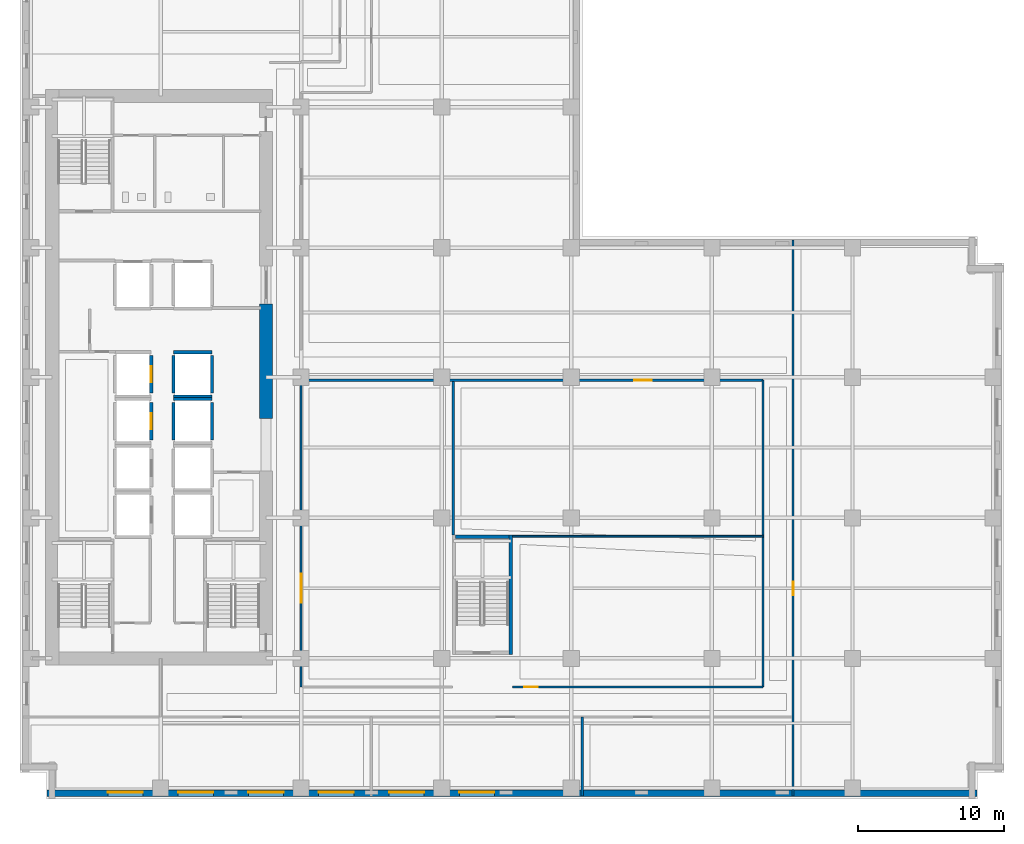
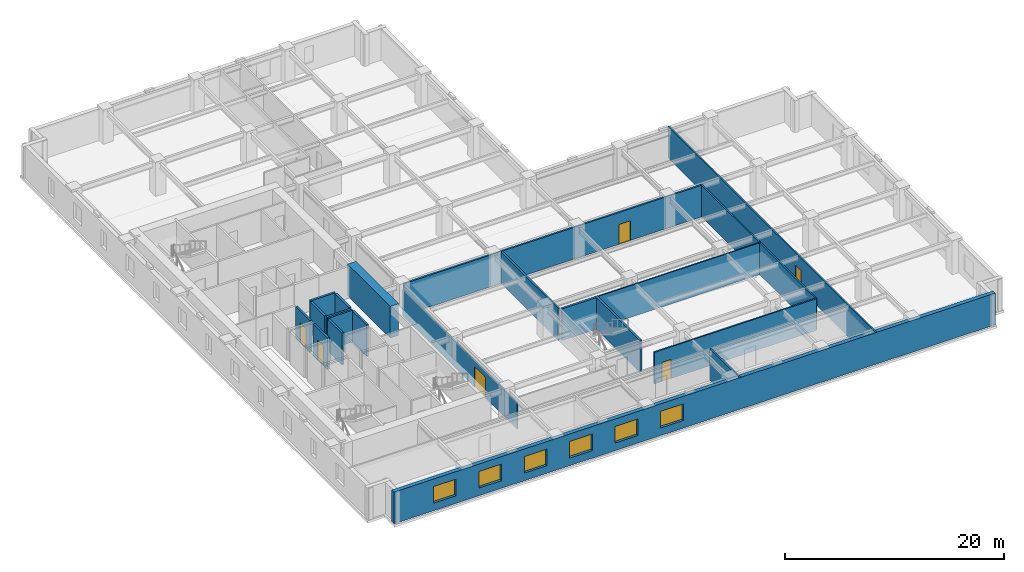
# One storey, part 5 of 13: 21 walls, 6 doors, 6 windows, 12 openings.
"""IFC4 building model written with IfcOpenShell, lengths in metres."""

from ifc_helpers import new_model, si_unit, direction, frame, frame_2d, origin, place, context, subcontext, project, spatial, rectangle, extrude, material, layer, layer_set, type_object, element, fill, save


model = new_model("IFC4")

# Units and contexts
model_context = context("Model", 3, precision=1e-05, world=origin(), true_north=direction((0.0, 1.0)))
body_context = subcontext(model_context, "Body", "Model", "MODEL_VIEW")
ifc_project = project(units=[si_unit("LENGTHUNIT", "METRE"), si_unit("AREAUNIT", "SQUARE_METRE"), si_unit("VOLUMEUNIT", "CUBIC_METRE"), si_unit("PLANEANGLEUNIT", "RADIAN"), si_unit("MASSUNIT", "GRAM", prefix="KILO")], contexts=[model_context])

# Site, building, storey
site_placement = place(None, origin())
site = spatial("IfcSite", under=ifc_project, at=site_placement, CompositionType="ELEMENT")
building_placement = place(site_placement, origin())
building = spatial("IfcBuilding", under=site, at=building_placement, Name="Norrvale University Quadrangle", CompositionType="ELEMENT")
storey_placement = place(building_placement, frame((0.0, 0.0, 66.0)))
storey = spatial("IfcBuildingStorey", under=building, at=storey_placement, Name="L16", CompositionType="ELEMENT", Elevation=66.0)

# Wall, openings, windows
ifc_material_1 = material(Name="Buff Norman Clay Brick Masonry", Category="masonry")
ifc_layer_1 = layer(ifc_material_1, 0.419921875, Name="Buff Norman Clay Brick Masonry")
ifc_layer_set_1 = layer_set([ifc_layer_1], Name="Buff Norman Clay Brick Masonry")
wall_type_1 = type_object("IfcWallType", Name="Wall Buff Brick 420", PredefinedType="SOLIDWALL", material=ifc_layer_set_1)
wall_1_placement = place(storey_placement, frame((1.840087890625, 0.389892578125, 0.0), z_axis=(0.0, 0.0, 1.0), x_axis=(1.0, 0.0, 0.0)))
wall_1 = element("IfcWall", 1, at=wall_1_placement, inside=storey, type_object=wall_type_1, Name="Exterior Brick Facade Wall L16-01.1", PredefinedType="SOLIDWALL", context=body_context, shape_type="SweptSolid", body=[
    extrude(rectangle(XDim=63.52001953125, YDim=0.419921875, at=frame_2d((31.760009765625, 0.0))), origin(), (0.0, 0.0, 1.0), 3.5400390625),
])
opening_1_placement = place(wall_1_placement, frame((4.159912109375, 0.0, 0.85009765625)))
opening_1 = element("IfcOpeningElement", 2, at=opening_1_placement, cuts=wall_1, Name="Opening W02", PredefinedType="OPENING", context=body_context, shape_type="SweptSolid", body=[
    extrude(rectangle(XDim=2.39990234375, YDim=1.85009765625, at=frame_2d((1.199951171875, 0.925048828125))), frame((0.0, 0.221923828125, 0.0), z_axis=(0.0, -1.0, 0.0), x_axis=(1.0, 0.0, 0.0)), (0.0, 0.0, 1.0), 0.44384765625),
])
opening_2_placement = place(wall_1_placement, frame((8.9599609375, 0.0, 0.85009765625)))
opening_2 = element("IfcOpeningElement", 3, at=opening_2_placement, cuts=wall_1, Name="Opening W02", PredefinedType="OPENING", context=body_context, shape_type="SweptSolid", body=[
    extrude(rectangle(XDim=2.39990234375, YDim=1.85009765625, at=frame_2d((1.199951171875, 0.925048828125))), frame((0.0, 0.221923828125, 0.0), z_axis=(0.0, -1.0, 0.0), x_axis=(1.0, 0.0, 0.0)), (0.0, 0.0, 1.0), 0.44384765625),
])
opening_3_placement = place(wall_1_placement, frame((13.760009765625, 0.0, 0.85009765625)))
opening_3 = element("IfcOpeningElement", 4, at=opening_3_placement, cuts=wall_1, Name="Opening W02", PredefinedType="OPENING", context=body_context, shape_type="SweptSolid", body=[
    extrude(rectangle(XDim=2.39990234375, YDim=1.85009765625, at=frame_2d((1.199951171875, 0.925048828125))), frame((0.0, 0.221923828125, 0.0), z_axis=(0.0, -1.0, 0.0), x_axis=(1.0, 0.0, 0.0)), (0.0, 0.0, 1.0), 0.44384765625),
])
opening_4_placement = place(wall_1_placement, frame((18.56005859375, 0.0, 0.85009765625)))
opening_4 = element("IfcOpeningElement", 5, at=opening_4_placement, cuts=wall_1, Name="Opening W02", PredefinedType="OPENING", context=body_context, shape_type="SweptSolid", body=[
    extrude(rectangle(XDim=2.39990234375, YDim=1.85009765625, at=frame_2d((1.199951171875, 0.925048828125))), frame((0.0, 0.221923828125, 0.0), z_axis=(0.0, -1.0, 0.0), x_axis=(1.0, 0.0, 0.0)), (0.0, 0.0, 1.0), 0.44384765625),
])
opening_5_placement = place(wall_1_placement, frame((23.360107421875, 0.0, 0.85009765625)))
opening_5 = element("IfcOpeningElement", 6, at=opening_5_placement, cuts=wall_1, Name="Opening W02", PredefinedType="OPENING", context=body_context, shape_type="SweptSolid", body=[
    extrude(rectangle(XDim=2.39990234375, YDim=1.85009765625, at=frame_2d((1.199951171875, 0.925048828125))), frame((0.0, 0.221923828125, 0.0), z_axis=(0.0, -1.0, 0.0), x_axis=(1.0, 0.0, 0.0)), (0.0, 0.0, 1.0), 0.44384765625),
])
opening_6_placement = place(wall_1_placement, frame((28.159912109375, 0.0, 0.85009765625)))
opening_6 = element("IfcOpeningElement", 7, at=opening_6_placement, cuts=wall_1, Name="Opening W02", PredefinedType="OPENING", context=body_context, shape_type="SweptSolid", body=[
    extrude(rectangle(XDim=2.39990234375, YDim=1.85009765625, at=frame_2d((1.199951171875, 0.925048828125))), frame((0.0, 0.221923828125, 0.0), z_axis=(0.0, -1.0, 0.0), x_axis=(1.0, 0.0, 0.0)), (0.0, 0.0, 1.0), 0.44384765625),
])
ifc_material_2 = material(Name="Triple Low-E Argon Glazing", Category="glass")
window_type = type_object("IfcWindowType", Name="Window Academic 2400x2300", PartitioningType="TRIPLE_PANEL_VERTICAL", PredefinedType="WINDOW", material=ifc_material_2)
window_1_placement = place(opening_1_placement, origin())
window_1 = element("IfcWindow", 8, at=window_1_placement, inside=storey, type_object=window_type, Name="Window Academic 2400x2300 WIN-L16-E01-1-01", OverallHeight=1.85009765625, OverallWidth=2.39990234375, PartitioningType="TRIPLE_PANEL_VERTICAL", PredefinedType="WINDOW", context=body_context, shape_type="SweptSolid", body=[
    extrude(rectangle(XDim=2.39990234375, YDim=1.85009765625, at=frame_2d((1.199951171875, 0.925048828125))), frame((0.0, 0.110107421875, 0.0), z_axis=(0.0, -1.0, 0.0), x_axis=(1.0, 0.0, 0.0)), (0.0, 0.0, 1.0), 0.06005859375),
])
fill(opening_1, window_1)
window_2_placement = place(opening_2_placement, origin())
window_2 = element("IfcWindow", 9, at=window_2_placement, inside=storey, type_object=window_type, Name="Window Academic 2400x2300 WIN-L16-E01-1-02", OverallHeight=1.85009765625, OverallWidth=2.39990234375, PartitioningType="TRIPLE_PANEL_VERTICAL", PredefinedType="WINDOW", context=body_context, shape_type="SweptSolid", body=[
    extrude(rectangle(XDim=2.39990234375, YDim=1.85009765625, at=frame_2d((1.199951171875, 0.925048828125))), frame((0.0, 0.110107421875, 0.0), z_axis=(0.0, -1.0, 0.0), x_axis=(1.0, 0.0, 0.0)), (0.0, 0.0, 1.0), 0.06005859375),
])
fill(opening_2, window_2)
window_3_placement = place(opening_3_placement, origin())
window_3 = element("IfcWindow", 10, at=window_3_placement, inside=storey, type_object=window_type, Name="Window Academic 2400x2300 WIN-L16-E01-1-03", OverallHeight=1.85009765625, OverallWidth=2.39990234375, PartitioningType="TRIPLE_PANEL_VERTICAL", PredefinedType="WINDOW", context=body_context, shape_type="SweptSolid", body=[
    extrude(rectangle(XDim=2.39990234375, YDim=1.85009765625, at=frame_2d((1.199951171875, 0.925048828125))), frame((0.0, 0.110107421875, 0.0), z_axis=(0.0, -1.0, 0.0), x_axis=(1.0, 0.0, 0.0)), (0.0, 0.0, 1.0), 0.06005859375),
])
fill(opening_3, window_3)
window_4_placement = place(opening_4_placement, origin())
window_4 = element("IfcWindow", 11, at=window_4_placement, inside=storey, type_object=window_type, Name="Window Academic 2400x2300 WIN-L16-E01-1-04", OverallHeight=1.85009765625, OverallWidth=2.39990234375, PartitioningType="TRIPLE_PANEL_VERTICAL", PredefinedType="WINDOW", context=body_context, shape_type="SweptSolid", body=[
    extrude(rectangle(XDim=2.39990234375, YDim=1.85009765625, at=frame_2d((1.199951171875, 0.925048828125))), frame((0.0, 0.110107421875, 0.0), z_axis=(0.0, -1.0, 0.0), x_axis=(1.0, 0.0, 0.0)), (0.0, 0.0, 1.0), 0.06005859375),
])
fill(opening_4, window_4)
window_5_placement = place(opening_5_placement, origin())
window_5 = element("IfcWindow", 12, at=window_5_placement, inside=storey, type_object=window_type, Name="Window Academic 2400x2300 WIN-L16-E01-1-05", OverallHeight=1.85009765625, OverallWidth=2.39990234375, PartitioningType="TRIPLE_PANEL_VERTICAL", PredefinedType="WINDOW", context=body_context, shape_type="SweptSolid", body=[
    extrude(rectangle(XDim=2.39990234375, YDim=1.85009765625, at=frame_2d((1.199951171875, 0.925048828125))), frame((0.0, 0.110107421875, 0.0), z_axis=(0.0, -1.0, 0.0), x_axis=(1.0, 0.0, 0.0)), (0.0, 0.0, 1.0), 0.06005859375),
])
fill(opening_5, window_5)
window_6_placement = place(opening_6_placement, origin())
window_6 = element("IfcWindow", 13, at=window_6_placement, inside=storey, type_object=window_type, Name="Window Academic 2400x2300 WIN-L16-E01-1-06", OverallHeight=1.85009765625, OverallWidth=2.39990234375, PartitioningType="TRIPLE_PANEL_VERTICAL", PredefinedType="WINDOW", context=body_context, shape_type="SweptSolid", body=[
    extrude(rectangle(XDim=2.39990234375, YDim=1.85009765625, at=frame_2d((1.199951171875, 0.925048828125))), frame((0.0, 0.110107421875, 0.0), z_axis=(0.0, -1.0, 0.0), x_axis=(1.0, 0.0, 0.0)), (0.0, 0.0, 1.0), 0.06005859375),
])
fill(opening_6, window_6)

# Walls
ifc_material_3 = material(Name="Concrete C80/95", Category="concrete")
ifc_layer_2 = layer(ifc_material_3, 0.89990234375, Name="Concrete C80/95")
ifc_layer_set_2 = layer_set([ifc_layer_2], Name="Concrete C80/95")
wall_type_2 = type_object("IfcWallType", Name="Wall Core 900", PredefinedType="SHEAR", material=ifc_layer_set_2)
wall_2_placement = place(storey_placement, frame((16.800048828125, 26.0, 0.0), z_axis=(0.0, 0.0, 1.0), x_axis=(0.0, 1.0, 0.0)))
element("IfcWall", 14, at=wall_2_placement, inside=storey, type_object=wall_type_2, Name="Tower Core Shear Wall L16-E2", PredefinedType="SHEAR", context=body_context, shape_type="SweptSolid", body=[
    extrude(rectangle(XDim=7.800048828125, YDim=0.89990234375, at=frame_2d((3.89990234375, 0.0))), origin(), (0.0, 0.0, 1.0), 3.5400390625),
])
ifc_material_4 = material(Name="Standard Academic Gypsum Partition")
ifc_layer_3 = layer(ifc_material_4, 0.125, Name="Standard Academic Gypsum Partition")
ifc_layer_set_3 = layer_set([ifc_layer_3], Name="Standard Academic Gypsum Partition")
wall_type_3 = type_object("IfcWallType", Name="Wall Gypsum Academic 125", PredefinedType="PARTITIONING", material=ifc_layer_set_3)
wall_3_placement = place(storey_placement, frame((33.6201171875, 17.93994140625, 0.0), z_axis=(0.0, 0.0, 1.0), x_axis=(1.0, 0.0, 0.0)))
element("IfcWall", 15, at=wall_3_placement, inside=storey, type_object=wall_type_3, Name="Interior Partition WL-L16-ISLH", PredefinedType="PARTITIONING", context=body_context, shape_type="SweptSolid", body=[
    extrude(rectangle(XDim=17.1298828125, YDim=0.125, at=frame_2d((8.56494140625, 0.0))), origin(), (0.0, 0.0, 1.0), 3.5400390625),
])

# Wall, opening, door
ifc_material_5 = material(Name="Fire-Rated Gypsum Stud Partition")
ifc_layer_4 = layer(ifc_material_5, 0.14990234375, Name="Fire-Rated Gypsum Stud Partition")
ifc_layer_set_4 = layer_set([ifc_layer_4], Name="Fire-Rated Gypsum Stud Partition")
wall_type_4 = type_object("IfcWallType", Name="Wall Gypsum Corridor 150", PredefinedType="PARTITIONING", material=ifc_layer_set_4)
wall_4_placement = place(storey_placement, frame((52.800048828125, 0.219970703125, 0.0), z_axis=(0.0, 0.0, 1.0), x_axis=(0.0, 1.0, 0.0)))
wall_4 = element("IfcWall", 16, at=wall_4_placement, inside=storey, type_object=wall_type_4, Name="Interior Partition WL-L16-ECW", PredefinedType="PARTITIONING", context=body_context, shape_type="SweptSolid", body=[
    extrude(rectangle(XDim=37.9599609375, YDim=0.14990234375, at=frame_2d((18.97998046875, 0.0))), origin(), (0.0, 0.0, 1.0), 3.5400390625),
])
opening_7_placement = place(wall_4_placement, frame((13.679931640625, 0.0, 0.0)))
opening_7 = element("IfcOpeningElement", 17, at=opening_7_placement, cuts=wall_4, Name="Opening D07", PredefinedType="OPENING", context=body_context, shape_type="SweptSolid", body=[
    extrude(rectangle(XDim=0.949951171875, YDim=2.14990234375, at=frame_2d((0.47509765625, 1.074951171875))), frame((0.0, 0.0869140625, 0.0), z_axis=(0.0, -1.0, 0.0), x_axis=(1.0, 0.0, 0.0)), (0.0, 0.0, 1.0), 0.173828125),
])
ifc_material_6 = material(Name="Solid-Core Maple Door", Category="wood")
door_type_1 = type_object("IfcDoorType", Name="Door Office 950x2150", OperationType="NOTDEFINED", PredefinedType="DOOR", material=ifc_material_6)
door_1_placement = place(opening_7_placement, origin())
door_1 = element("IfcDoor", 18, at=door_1_placement, inside=storey, type_object=door_type_1, Name="Door Office 950x2150 DR-L16-E01", OperationType="SINGLE_SWING_RIGHT", OverallHeight=2.14990234375, OverallWidth=0.949951171875, PredefinedType="DOOR", context=body_context, shape_type="SweptSolid", body=[
    extrude(rectangle(XDim=0.949951171875, YDim=2.14990234375, at=frame_2d((0.47509765625, 1.074951171875))), frame((0.0, 0.02490234375, 0.0), z_axis=(0.0, -1.0, 0.0), x_axis=(1.0, 0.0, 0.0)), (0.0, 0.0, 1.0), 0.050048828125),
])
fill(opening_7, door_1)

wall_5_placement = place(storey_placement, frame((19.199951171875, 7.64990234375, 0.0), z_axis=(0.0, 0.0, 1.0), x_axis=(0.0, 1.0, 0.0)))
wall_5 = element("IfcWall", 19, at=wall_5_placement, inside=storey, type_object=wall_type_4, Name="Interior Partition WL-L16-ISLW", PredefinedType="PARTITIONING", context=body_context, shape_type="SweptSolid", body=[
    extrude(rectangle(XDim=20.9501953125, YDim=0.14990234375, at=frame_2d((10.47509765625, 0.0))), origin(), (0.0, 0.0, 1.0), 2.923095703125),
])
opening_8_placement = place(wall_5_placement, frame((5.75, 0.0, 0.0)))
opening_8 = element("IfcOpeningElement", 20, at=opening_8_placement, cuts=wall_5, Name="Opening D06", PredefinedType="OPENING", context=body_context, shape_type="SweptSolid", body=[
    extrude(rectangle(XDim=2.0, YDim=2.300048828125, at=frame_2d((1.0, 1.14990234375))), frame((0.0, 0.0869140625, 0.0), z_axis=(0.0, -1.0, 0.0), x_axis=(1.0, 0.0, 0.0)), (0.0, 0.0, 1.0), 0.173828125),
])
ifc_material_7 = material(Name="Acoustic Oak Double Door", Category="wood")
door_type_2 = type_object("IfcDoorType", Name="Door Lecture Dbl 2000x2300", OperationType="DOUBLE_SWING_LEFT", PredefinedType="DOOR", material=ifc_material_7)
door_2_placement = place(opening_8_placement, origin())
door_2 = element("IfcDoor", 21, at=door_2_placement, inside=storey, type_object=door_type_2, Name="Door Lecture Dbl 2000x2300 DR-L16-IW1", OperationType="DOUBLE_SWING_LEFT", OverallHeight=2.300048828125, OverallWidth=2.0, PredefinedType="DOOR", context=body_context, shape_type="SweptSolid", body=[
    extrude(rectangle(XDim=2.0, YDim=2.300048828125, at=frame_2d((1.0, 1.14990234375))), frame((0.0, 0.02490234375, 0.0), z_axis=(0.0, -1.0, 0.0), x_axis=(1.0, 0.0, 0.0)), (0.0, 0.0, 1.0), 0.050048828125),
])
fill(opening_8, door_2)

wall_6_placement = place(storey_placement, frame((33.6201171875, 7.64990234375, 0.0), z_axis=(0.0, 0.0, 1.0), x_axis=(1.0, 0.0, 0.0)))
wall_6 = element("IfcWall", 22, at=wall_6_placement, inside=storey, type_object=wall_type_4, Name="Interior Partition WL-L16-ISLS2", PredefinedType="PARTITIONING", context=body_context, shape_type="SweptSolid", body=[
    extrude(rectangle(XDim=17.1298828125, YDim=0.14990234375, at=frame_2d((8.56494140625, 0.0))), origin(), (0.0, 0.0, 1.0), 3.5400390625),
])
opening_9_placement = place(wall_6_placement, frame((0.800048828125, 0.0, 0.0)))
opening_9 = element("IfcOpeningElement", 23, at=opening_9_placement, cuts=wall_6, Name="Opening D07", PredefinedType="OPENING", context=body_context, shape_type="SweptSolid", body=[
    extrude(rectangle(XDim=0.949951171875, YDim=2.14990234375, at=frame_2d((0.47509765625, 1.074951171875))), frame((0.0, 0.0869140625, 0.0), z_axis=(0.0, -1.0, 0.0), x_axis=(1.0, 0.0, 0.0)), (0.0, 0.0, 1.0), 0.173828125),
])
door_3_placement = place(opening_9_placement, origin())
door_3 = element("IfcDoor", 24, at=door_3_placement, inside=storey, type_object=door_type_1, Name="Door Office 950x2150 DR-L16-ISE", OperationType="SINGLE_SWING_LEFT", OverallHeight=2.14990234375, OverallWidth=0.949951171875, PredefinedType="DOOR", context=body_context, shape_type="SweptSolid", body=[
    extrude(rectangle(XDim=0.949951171875, YDim=2.14990234375, at=frame_2d((0.47509765625, 1.074951171875))), frame((0.0, 0.02490234375, 0.0), z_axis=(0.0, -1.0, 0.0), x_axis=(1.0, 0.0, 0.0)), (0.0, 0.0, 1.0), 0.050048828125),
])
fill(opening_9, door_3)

# Walls
wall_7_placement = place(storey_placement, frame((50.75, 7.64990234375, 0.0), z_axis=(0.0, 0.0, 1.0), x_axis=(0.0, 1.0, 0.0)))
element("IfcWall", 25, at=wall_7_placement, inside=storey, type_object=wall_type_4, Name="Interior Partition WL-L16-ISLE", PredefinedType="PARTITIONING", context=body_context, shape_type="SweptSolid", body=[
    extrude(rectangle(XDim=20.9501953125, YDim=0.14990234375, at=frame_2d((10.47509765625, 0.0))), origin(), (0.0, 0.0, 1.0), 3.5400390625),
])
ifc_material_8 = material(Name="Acoustic Double-Stud Gypsum Partition")
ifc_layer_5 = layer(ifc_material_8, 0.179931640625, Name="Acoustic Double-Stud Gypsum Partition")
ifc_layer_set_5 = layer_set([ifc_layer_5], Name="Acoustic Double-Stud Gypsum Partition")
wall_type_5 = type_object("IfcWallType", Name="Wall Gypsum Lecture 180", PredefinedType="PARTITIONING", material=ifc_layer_set_5)
wall_8_placement = place(storey_placement, frame((29.580078125, 18.02490234375, 0.0), z_axis=(0.0, 0.0, 1.0), x_axis=(0.0, 1.0, 0.0)))
element("IfcWall", 26, at=wall_8_placement, inside=storey, type_object=wall_type_5, Name="Interior Partition WL-L16-ISLD", PredefinedType="PARTITIONING", context=body_context, shape_type="SweptSolid", body=[
    extrude(rectangle(XDim=10.47998046875, YDim=0.179931640625, at=frame_2d((5.239990234375, 0.0))), origin(), (0.0, 0.0, 1.0), 3.5400390625),
])

# Wall, opening, door
wall_9_placement = place(storey_placement, frame((19.280029296875, 28.60009765625, 0.0), z_axis=(0.0, 0.0, 1.0), x_axis=(1.0, 0.0, 0.0)))
wall_9 = element("IfcWall", 27, at=wall_9_placement, inside=storey, type_object=wall_type_5, Name="Interior Partition WL-L16-ISLN", PredefinedType="PARTITIONING", context=body_context, shape_type="SweptSolid", body=[
    extrude(rectangle(XDim=31.469970703125, YDim=0.179931640625, at=frame_2d((15.73486328125, 0.0))), origin(), (0.0, 0.0, 1.0), 3.5400390625),
])
opening_10_placement = place(wall_9_placement, frame((22.669921875, 0.0, 0.0)))
opening_10 = element("IfcOpeningElement", 28, at=opening_10_placement, cuts=wall_9, Name="Opening D05", PredefinedType="OPENING", context=body_context, shape_type="SweptSolid", body=[
    extrude(rectangle(XDim=1.199951171875, YDim=2.199951171875, at=frame_2d((0.60009765625, 1.10009765625))), frame((0.0, 0.10205078125, 0.0), z_axis=(0.0, -1.0, 0.0), x_axis=(1.0, 0.0, 0.0)), (0.0, 0.0, 1.0), 0.203857421875),
])
ifc_material_9 = material(Name="Acoustic Oak Classroom Door", Category="wood")
door_type_3 = type_object("IfcDoorType", Name="Door Classroom 1200x2200", OperationType="NOTDEFINED", PredefinedType="DOOR", material=ifc_material_9)
door_4_placement = place(opening_10_placement, origin())
door_4 = element("IfcDoor", 29, at=door_4_placement, inside=storey, type_object=door_type_3, Name="Door Classroom 1200x2200 DR-L16-ILH", OperationType="SINGLE_SWING_RIGHT", OverallHeight=2.199951171875, OverallWidth=1.199951171875, PredefinedType="DOOR", context=body_context, shape_type="SweptSolid", body=[
    extrude(rectangle(XDim=1.199951171875, YDim=2.199951171875, at=frame_2d((0.60009765625, 1.10009765625))), frame((0.0, 0.02490234375, 0.0), z_axis=(0.0, -1.0, 0.0), x_axis=(1.0, 0.0, 0.0)), (0.0, 0.0, 1.0), 0.050048828125),
])
fill(opening_10, door_4)

# Walls
ifc_material_10 = material(Name="Sanitary Chase Gypsum Partition")
ifc_layer_6 = layer(ifc_material_10, 0.1650390625, Name="Sanitary Chase Gypsum Partition")
ifc_layer_set_6 = layer_set([ifc_layer_6], Name="Sanitary Chase Gypsum Partition")
wall_type_6 = type_object("IfcWallType", Name="Wall Gypsum Sanitary 165", PredefinedType="PLUMBINGWALL", material=ifc_layer_set_6)
wall_10_placement = place(storey_placement, frame((38.39990234375, 0.219970703125, 0.0), z_axis=(0.0, 0.0, 1.0), x_axis=(0.0, 1.0, 0.0)))
element("IfcWall", 30, at=wall_10_placement, inside=storey, type_object=wall_type_6, Name="Interior Partition WL-L16-SP02", PredefinedType="PLUMBINGWALL", context=body_context, shape_type="SweptSolid", body=[
    extrude(rectangle(XDim=5.380126953125, YDim=0.1650390625, at=frame_2d((2.68994140625, 0.0))), origin(), (0.0, 0.0, 1.0), 3.5400390625),
])
ifc_material_11 = material(Name="Concrete Blockwork 20 MPa Fire Shaft", Category="masonry")
ifc_layer_7 = layer(ifc_material_11, 0.219970703125, Name="Concrete Blockwork 20 MPa Fire Shaft")
ifc_layer_set_7 = layer_set([ifc_layer_7], Name="Concrete Blockwork 20 MPa Fire Shaft")
wall_type_7 = type_object("IfcWallType", Name="Wall Shaft 220", PredefinedType="SOLIDWALL", material=ifc_layer_set_7)
wall_11_placement = place(storey_placement, frame((33.510009765625, 9.8798828125, 0.0), z_axis=(0.0, 0.0, 1.0), x_axis=(0.0, 1.0, 0.0)))
element("IfcWall", 31, at=wall_11_placement, inside=storey, type_object=wall_type_7, Name="Stair ST-04 East Shaft Wall L16", PredefinedType="SOLIDWALL", context=body_context, shape_type="SweptSolid", body=[
    extrude(rectangle(XDim=8.14013671875, YDim=0.219970703125, at=frame_2d((4.070068359375, 0.0))), origin(), (0.0, 0.0, 1.0), 3.5400390625),
])
wall_12_placement = place(storey_placement, frame((29.75, 17.909912109375, 0.0), z_axis=(0.0, 0.0, 1.0), x_axis=(1.0, 0.0, 0.0)))
element("IfcWall", 32, at=wall_12_placement, inside=storey, type_object=wall_type_7, Name="Stair ST-04 North Shaft Wall L16", PredefinedType="SOLIDWALL", context=body_context, shape_type="SweptSolid", body=[
    extrude(rectangle(XDim=3.64990234375, YDim=0.219970703125, at=frame_2d((1.824951171875, 0.0))), origin(), (0.0, 0.0, 1.0), 3.5400390625),
])

# Wall, opening, door
wall_13_placement = place(storey_placement, frame((8.9599609375, 24.510009765625, 0.0), z_axis=(0.0, 0.0, 1.0), x_axis=(0.0, 1.0, 0.0)))
wall_13 = element("IfcWall", 33, at=wall_13_placement, inside=storey, type_object=wall_type_7, Name="Hoistway PL-03 East Wall L16", PredefinedType="SOLIDWALL", context=body_context, shape_type="SweptSolid", body=[
    extrude(rectangle(XDim=2.580078125, YDim=0.219970703125, at=frame_2d((1.2900390625, 0.0))), origin(), (0.0, 0.0, 1.0), 3.5400390625),
])
opening_11_placement = place(wall_13_placement, frame((0.739990234375, 0.0, 0.0)))
opening_11 = element("IfcOpeningElement", 34, at=opening_11_placement, cuts=wall_13, Name="Opening LD1", PredefinedType="OPENING", context=body_context, shape_type="SweptSolid", body=[
    extrude(rectangle(XDim=1.10009765625, YDim=2.199951171875, at=frame_2d((0.550048828125, 1.10009765625))), frame((0.0, 0.1220703125, 0.0), z_axis=(0.0, -1.0, 0.0), x_axis=(1.0, 0.0, 0.0)), (0.0, 0.0, 1.0), 0.243896484375),
])
ifc_material_12 = material(Name="Stainless Steel 316L Lift Landing Door", Category="steel")
door_type_4 = type_object("IfcDoorType", Name="Door Lift Landing 1100x2200", OperationType="DOUBLE_DOOR_SLIDING", PredefinedType="DOOR", material=ifc_material_12)
door_5_placement = place(opening_11_placement, origin())
door_5 = element("IfcDoor", 35, at=door_5_placement, inside=storey, type_object=door_type_4, Name="Elevator Landing Door DR-L16-PL-03", OperationType="DOUBLE_DOOR_SLIDING", OverallHeight=2.199951171875, OverallWidth=1.10009765625, PredefinedType="DOOR", context=body_context, shape_type="SweptSolid", body=[
    extrude(rectangle(XDim=1.10009765625, YDim=2.199951171875, at=frame_2d((0.550048828125, 1.10009765625))), frame((0.0, 0.02490234375, 0.0), z_axis=(0.0, -1.0, 0.0), x_axis=(1.0, 0.0, 0.0)), (0.0, 0.0, 1.0), 0.050048828125),
])
fill(opening_11, door_5)

wall_14_placement = place(storey_placement, frame((8.9599609375, 27.7099609375, 0.0), z_axis=(0.0, 0.0, 1.0), x_axis=(0.0, 1.0, 0.0)))
wall_14 = element("IfcWall", 36, at=wall_14_placement, inside=storey, type_object=wall_type_7, Name="Hoistway PL-04 East Wall L16", PredefinedType="SOLIDWALL", context=body_context, shape_type="SweptSolid", body=[
    extrude(rectangle(XDim=2.580078125, YDim=0.219970703125, at=frame_2d((1.2900390625, 0.0))), origin(), (0.0, 0.0, 1.0), 3.5400390625),
])
opening_12_placement = place(wall_14_placement, frame((0.739990234375, 0.0, 0.0)))
opening_12 = element("IfcOpeningElement", 37, at=opening_12_placement, cuts=wall_14, Name="Opening LD1", PredefinedType="OPENING", context=body_context, shape_type="SweptSolid", body=[
    extrude(rectangle(XDim=1.10009765625, YDim=2.199951171875, at=frame_2d((0.550048828125, 1.10009765625))), frame((0.0, 0.1220703125, 0.0), z_axis=(0.0, -1.0, 0.0), x_axis=(1.0, 0.0, 0.0)), (0.0, 0.0, 1.0), 0.243896484375),
])
door_6_placement = place(opening_12_placement, origin())
door_6 = element("IfcDoor", 38, at=door_6_placement, inside=storey, type_object=door_type_4, Name="Elevator Landing Door DR-L16-PL-04", OperationType="DOUBLE_DOOR_SLIDING", OverallHeight=2.199951171875, OverallWidth=1.10009765625, PredefinedType="DOOR", context=body_context, shape_type="SweptSolid", body=[
    extrude(rectangle(XDim=1.10009765625, YDim=2.199951171875, at=frame_2d((0.550048828125, 1.10009765625))), frame((0.0, 0.02490234375, 0.0), z_axis=(0.0, -1.0, 0.0), x_axis=(1.0, 0.0, 0.0)), (0.0, 0.0, 1.0), 0.050048828125),
])
fill(opening_12, door_6)

# Walls
for number, where, z_axis, x_axis, name in (
    (39, (10.489990234375, 24.510009765625, 0.0), (0.0, 0.0, 1.0), (0.0, 1.0, 0.0), "Hoistway PL-07 West Wall L16"),
    (40, (13.110107421875, 24.510009765625, 0.0), (0.0, 0.0, 1.0), (0.0, 1.0, 0.0), "Hoistway PL-07 East Wall L16"),
):
    element("IfcWall", number, at=place(storey_placement, frame(where, z_axis=z_axis, x_axis=x_axis)), inside=storey, type_object=wall_type_7, Name=name, PredefinedType="SOLIDWALL", context=body_context, shape_type="SweptSolid", body=[
        extrude(rectangle(XDim=2.580078125, YDim=0.219970703125, at=frame_2d((1.2900390625, 0.0))), origin(), (0.0, 0.0, 1.0), 3.5400390625),
    ])
wall_15_placement = place(storey_placement, frame((10.489990234375, 27.31005859375, 0.0), z_axis=(0.0, 0.0, 1.0), x_axis=(1.0, 0.0, 0.0)))
element("IfcWall", 41, at=wall_15_placement, inside=storey, type_object=wall_type_7, Name="Hoistway PL-07 North Wall L16", PredefinedType="SOLIDWALL", context=body_context, shape_type="SweptSolid", body=[
    extrude(rectangle(XDim=2.6201171875, YDim=0.219970703125, at=frame_2d((1.31005859375, 0.0))), origin(), (0.0, 0.0, 1.0), 3.5400390625),
])
for number, where, z_axis, x_axis, name in (
    (42, (10.489990234375, 27.7099609375, 0.0), (0.0, 0.0, 1.0), (0.0, 1.0, 0.0), "Hoistway PL-08 West Wall L16"),
    (43, (13.110107421875, 27.7099609375, 0.0), (0.0, 0.0, 1.0), (0.0, 1.0, 0.0), "Hoistway PL-08 East Wall L16"),
):
    element("IfcWall", number, at=place(storey_placement, frame(where, z_axis=z_axis, x_axis=x_axis)), inside=storey, type_object=wall_type_7, Name=name, PredefinedType="SOLIDWALL", context=body_context, shape_type="SweptSolid", body=[
        extrude(rectangle(XDim=2.580078125, YDim=0.219970703125, at=frame_2d((1.2900390625, 0.0))), origin(), (0.0, 0.0, 1.0), 3.5400390625),
    ])
for number, where, z_axis, x_axis, name in (
    (44, (10.489990234375, 27.489990234375, 0.0), (0.0, 0.0, 1.0), (1.0, 0.0, 0.0), "Hoistway PL-08 South Wall L16"),
    (45, (10.489990234375, 30.510009765625, 0.0), (0.0, 0.0, 1.0), (1.0, 0.0, 0.0), "Hoistway PL-08 North Wall L16"),
):
    element("IfcWall", number, at=place(storey_placement, frame(where, z_axis=z_axis, x_axis=x_axis)), inside=storey, type_object=wall_type_7, Name=name, PredefinedType="SOLIDWALL", context=body_context, shape_type="SweptSolid", body=[
        extrude(rectangle(XDim=2.6201171875, YDim=0.219970703125, at=frame_2d((1.31005859375, 0.0))), origin(), (0.0, 0.0, 1.0), 3.5400390625),
    ])

save(model, "model.ifc")
